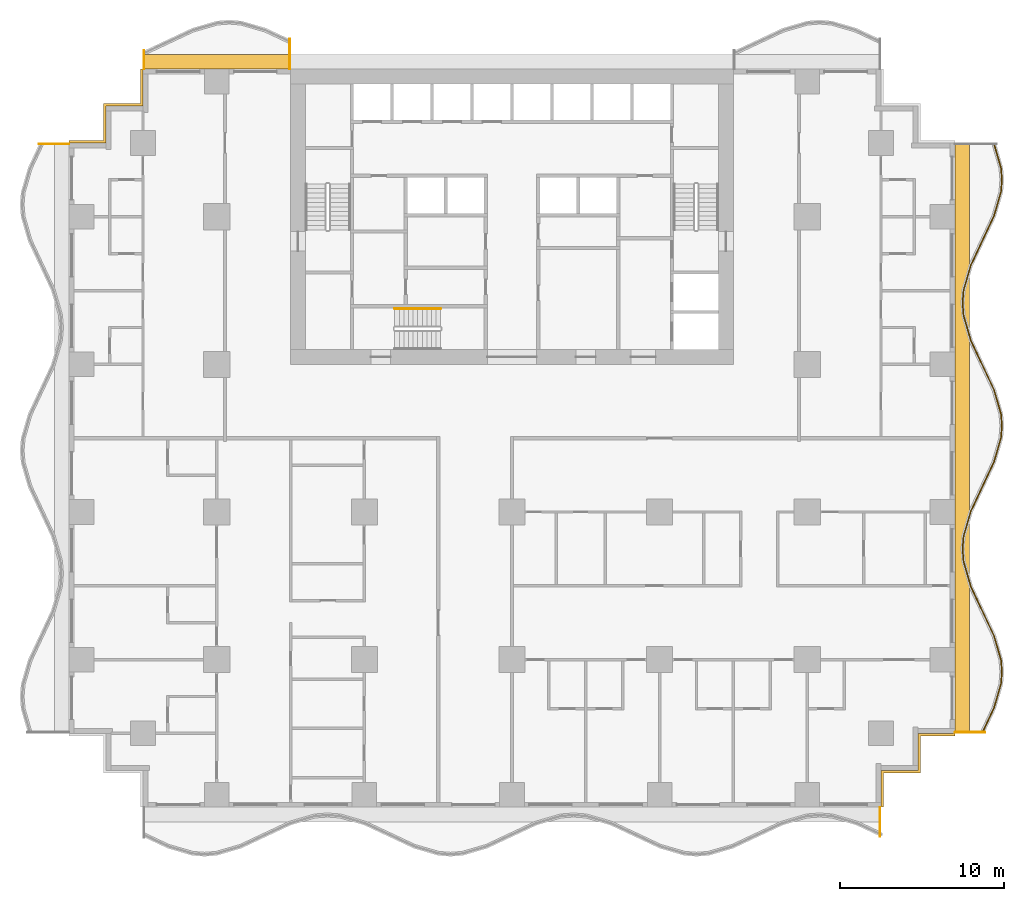
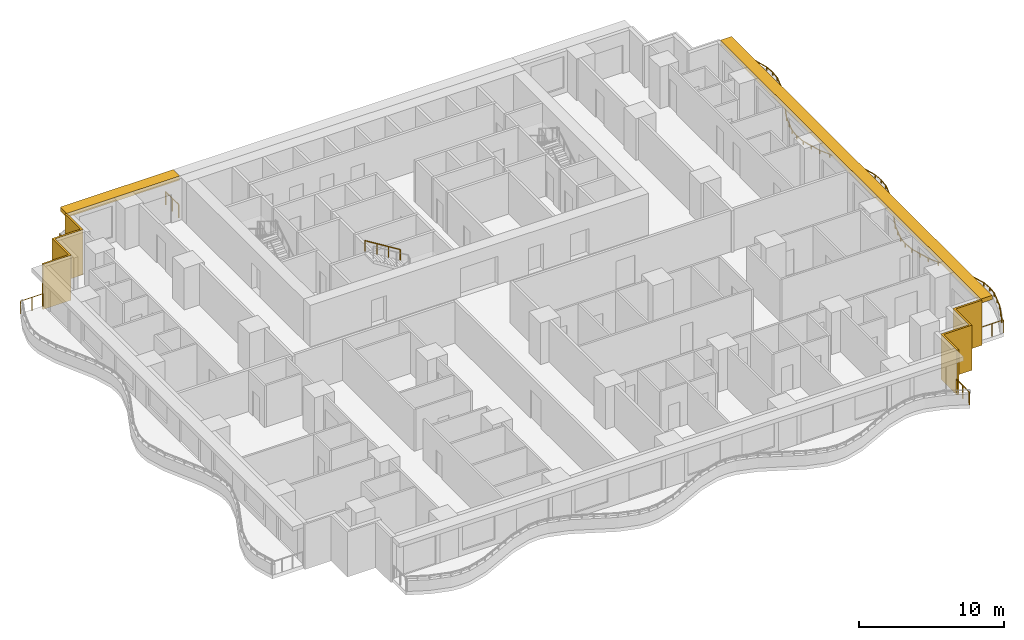
# One storey, part 11 of 14: 7 railings, 4 shading devices.
"""IFC4 building model written with IfcOpenShell, lengths in metres."""

from ifc_helpers import new_model, si_unit, direction, frame, origin, origin_2d, place, context, subcontext, project, spatial, polyline, rectangle, circle, outline, extrude, material, layer, layer_set, type_object, element, save


model = new_model("IFC4")

# Units and contexts
model_context = context("Model", 3, precision=1e-05, world=origin(), true_north=direction((0.0, 1.0)))
body_context = subcontext(model_context, "Body", "Model", "MODEL_VIEW")
ifc_project = project(units=[si_unit("LENGTHUNIT", "METRE"), si_unit("AREAUNIT", "SQUARE_METRE"), si_unit("VOLUMEUNIT", "CUBIC_METRE"), si_unit("PLANEANGLEUNIT", "RADIAN"), si_unit("MASSUNIT", "GRAM", prefix="KILO")], contexts=[model_context])

# Site, building, storey
site_placement = place(None, origin())
site = spatial("IfcSite", under=ifc_project, at=site_placement, CompositionType="ELEMENT")
building_placement = place(site_placement, origin())
building = spatial("IfcBuilding", under=site, at=building_placement, Name="Orbiselva Terraces", CompositionType="ELEMENT")
storey_placement = place(building_placement, frame((0.0, 0.0, 15.0)))
storey = spatial("IfcBuildingStorey", under=building, at=storey_placement, Name="L03", CompositionType="ELEMENT", Elevation=15.0)

# Railings
ifc_material_1 = material(Name="Stainless steel", Category="steel")
railing_type_1 = type_object("IfcRailingType", Name="CORE-HANDRAIL-900", PredefinedType="HANDRAIL", material=ifc_material_1)
railing_1_placement = place(storey_placement, frame((-4.35, 7.9, 2.072727)))
element("IfcRailing", 1, at=railing_1_placement, inside=storey, type_object=railing_type_1, Name="L03 S3 stair handrail 2", PredefinedType="HANDRAIL", context=body_context, shape_type="SweptSolid", body=[
    extrude(circle(Radius=0.024, at=origin_2d()), frame((0.0, 0.0, 0.876), z_axis=(-0.851088519012, 0.0, 0.52502222125), x_axis=(0.0, -1.0, 0.0)), (0.0, 0.0, 1.0), 3.289905),
    extrude(circle(Radius=0.021, at=origin_2d()), origin(), (0.0, 0.0, 1.0), 0.852),
    extrude(circle(Radius=0.021, at=origin_2d()), frame((-0.933333, 0.0, 0.575758)), (0.0, 0.0, 1.0), 0.852),
    extrude(circle(Radius=0.021, at=origin_2d()), frame((-1.866667, 0.0, 1.151515)), (0.0, 0.0, 1.0), 0.852),
    extrude(circle(Radius=0.021, at=origin_2d()), frame((-2.8, 0.0, 1.727273)), (0.0, 0.0, 1.0), 0.852),
])
ifc_material_2 = material(Name="Bonded two-ply safety glass balustrade, stainless steel posts", Category="steel")
railing_type_2 = type_object("IfcRailingType", Name="ENV-BALUSTRADE-1200", PredefinedType="BALUSTRADE", material=ifc_material_2)
railing_2_placement = place(storey_placement, frame((28.686882, -17.946809, 0.9)))
element("IfcRailing", 2, at=railing_2_placement, inside=storey, type_object=railing_type_2, Name="Balcony balustrade L03 E", PredefinedType="BALUSTRADE", context=body_context, shape_type="SweptSolid", body=[
    extrude(outline(polyline([(0.028868, 0.0), (0.014434, 0.025), (-0.014434, 0.025), (-0.028868, 0.0), (-0.014434, -0.025), (0.014434, -0.025), (0.028868, 0.0)])), frame((0.0, 0.0, 0.275), z_axis=(0.425529912322, 0.904944359461, 0.0), x_axis=(-0.904944359461, 0.425529912322, 0.0)), (0.0, 0.0, 1.0), 1.647746),
    extrude(outline(polyline([(0.028868, 0.0), (0.014434, 0.025), (-0.014434, 0.025), (-0.028868, 0.0), (-0.014434, -0.025), (0.014434, -0.025), (0.028868, 0.0)])), frame((0.701165, 1.491118, 0.275), z_axis=(0.279071528957, 0.960270317007, 0.0), x_axis=(-0.960270317007, 0.279071528957, 0.0)), (0.0, 0.0, 1.0), 1.539408),
    extrude(outline(polyline([(0.028868, 0.0), (0.014434, 0.025), (-0.014434, 0.025), (-0.028868, 0.0), (-0.014434, -0.025), (0.014434, -0.025), (0.028868, 0.0)])), frame((1.13077, 2.969366, 0.275), z_axis=(0.078069536776, 0.996947916106, 0.0), x_axis=(-0.996947916106, 0.078069536776, 0.0)), (0.0, 0.0, 1.0), 0.72967),
    extrude(outline(polyline([(0.028868, 0.0), (0.014434, 0.025), (-0.014434, 0.025), (-0.028868, 0.0), (-0.014434, -0.025), (0.014434, -0.025), (0.028868, 0.0)])), frame((1.187735, 3.696809, 0.275), z_axis=(-0.078069536776, 0.996947916106, 0.0), x_axis=(-0.996947916106, -0.078069536776, 0.0)), (0.0, 0.0, 1.0), 0.72967),
    extrude(outline(polyline([(0.028868, 0.0), (0.014434, 0.025), (-0.014434, 0.025), (-0.028868, 0.0), (-0.014434, -0.025), (0.014434, -0.025), (0.028868, 0.0)])), frame((1.13077, 4.424252, 0.275), z_axis=(-0.279071528957, 0.960270317007, 0.0), x_axis=(-0.960270317007, -0.279071528957, 0.0)), (0.0, 0.0, 1.0), 1.539408),
    extrude(outline(polyline([(0.028868, 0.0), (0.014434, 0.025), (-0.014434, 0.025), (-0.028868, 0.0), (-0.014434, -0.025), (0.014434, -0.025), (0.028868, 0.0)])), frame((0.701165, 5.9025, 0.275), z_axis=(-0.425529912322, 0.904944359461, 0.0), x_axis=(-0.904944359461, -0.425529912322, 0.0)), (0.0, 0.0, 1.0), 1.647746),
    extrude(outline(polyline([(0.028868, 0.0), (0.014434, 0.025), (-0.014434, 0.025), (-0.028868, 0.0), (-0.014434, -0.025), (0.014434, -0.025), (0.028868, 0.0)])), frame((0.0, 7.393618, 0.275), z_axis=(-0.425530342069, 0.904944157382, 0.0), x_axis=(-0.904944157382, -0.425530342069, 0.0)), (0.0, 0.0, 1.0), 1.667376),
    extrude(outline(polyline([(0.028868, 0.0), (0.014434, 0.025), (-0.014434, 0.025), (-0.028868, 0.0), (-0.014434, -0.025), (0.014434, -0.025), (0.028868, 0.0)])), frame((-0.709519, 8.9025, 0.275), z_axis=(-0.279070928786, 0.960270491427, 0.0), x_axis=(-0.960270491427, -0.279070928786, 0.0)), (0.0, 0.0, 1.0), 1.584712),
    extrude(outline(polyline([(0.028868, 0.0), (0.014434, 0.025), (-0.014434, 0.025), (-0.028868, 0.0), (-0.014434, -0.025), (0.014434, -0.025), (0.028868, 0.0)])), frame((-1.151766, 10.424252, 0.275), z_axis=(-0.078071061106, 0.996947796737, 0.0), x_axis=(-0.996947796737, -0.078071061106, 0.0)), (0.0, 0.0, 1.0), 0.774922),
    extrude(outline(polyline([(0.028868, 0.0), (0.014434, 0.025), (-0.014434, 0.025), (-0.028868, 0.0), (-0.014434, -0.025), (0.014434, -0.025), (0.028868, 0.0)])), frame((-1.212265, 11.196809, 0.275), z_axis=(0.078071061106, 0.996947796737, 0.0), x_axis=(-0.996947796737, 0.078071061106, 0.0)), (0.0, 0.0, 1.0), 0.774922),
    extrude(outline(polyline([(0.028868, 0.0), (0.014434, 0.025), (-0.014434, 0.025), (-0.028868, 0.0), (-0.014434, -0.025), (0.014434, -0.025), (0.028868, 0.0)])), frame((-1.151766, 11.969366, 0.275), z_axis=(0.279070928786, 0.960270491427, 0.0), x_axis=(-0.960270491427, 0.279070928786, 0.0)), (0.0, 0.0, 1.0), 1.584712),
    extrude(outline(polyline([(0.028868, 0.0), (0.014434, 0.025), (-0.014434, 0.025), (-0.028868, 0.0), (-0.014434, -0.025), (0.014434, -0.025), (0.028868, 0.0)])), frame((-0.709519, 13.491118, 0.275), z_axis=(0.425530342069, 0.904944157382, 0.0), x_axis=(-0.904944157382, 0.425530342069, 0.0)), (0.0, 0.0, 1.0), 1.667376),
    extrude(outline(polyline([(0.028868, 0.0), (0.014434, 0.025), (-0.014434, 0.025), (-0.028868, 0.0), (-0.014434, -0.025), (0.014434, -0.025), (0.028868, 0.0)])), frame((0.0, 15.0, 0.275), z_axis=(0.425529912322, 0.904944359461, 0.0), x_axis=(-0.904944359461, 0.425529912322, 0.0)), (0.0, 0.0, 1.0), 1.647746),
    extrude(outline(polyline([(0.028868, 0.0), (0.014434, 0.025), (-0.014434, 0.025), (-0.028868, 0.0), (-0.014434, -0.025), (0.014434, -0.025), (0.028868, 0.0)])), frame((0.701165, 16.491118, 0.275), z_axis=(0.279071528957, 0.960270317007, 0.0), x_axis=(-0.960270317007, 0.279071528957, 0.0)), (0.0, 0.0, 1.0), 1.539408),
    extrude(outline(polyline([(0.028868, 0.0), (0.014434, 0.025), (-0.014434, 0.025), (-0.028868, 0.0), (-0.014434, -0.025), (0.014434, -0.025), (0.028868, 0.0)])), frame((1.13077, 17.969366, 0.275), z_axis=(0.078069536776, 0.996947916106, 0.0), x_axis=(-0.996947916106, 0.078069536776, 0.0)), (0.0, 0.0, 1.0), 0.72967),
    extrude(outline(polyline([(0.028868, 0.0), (0.014434, 0.025), (-0.014434, 0.025), (-0.028868, 0.0), (-0.014434, -0.025), (0.014434, -0.025), (0.028868, 0.0)])), frame((1.187735, 18.696809, 0.275), z_axis=(-0.078069536776, 0.996947916106, 0.0), x_axis=(-0.996947916106, -0.078069536776, 0.0)), (0.0, 0.0, 1.0), 0.72967),
    extrude(outline(polyline([(0.028868, 0.0), (0.014434, 0.025), (-0.014434, 0.025), (-0.028868, 0.0), (-0.014434, -0.025), (0.014434, -0.025), (0.028868, 0.0)])), frame((1.13077, 19.424252, 0.275), z_axis=(-0.279071528957, 0.960270317007, 0.0), x_axis=(-0.960270317007, -0.279071528957, 0.0)), (0.0, 0.0, 1.0), 1.539408),
    extrude(outline(polyline([(0.028868, 0.0), (0.014434, 0.025), (-0.014434, 0.025), (-0.028868, 0.0), (-0.014434, -0.025), (0.014434, -0.025), (0.028868, 0.0)])), frame((0.701165, 20.9025, 0.275), z_axis=(-0.425529912322, 0.904944359461, 0.0), x_axis=(-0.904944359461, -0.425529912322, 0.0)), (0.0, 0.0, 1.0), 1.647746),
    extrude(outline(polyline([(0.028868, 0.0), (0.014434, 0.025), (-0.014434, 0.025), (-0.028868, 0.0), (-0.014434, -0.025), (0.014434, -0.025), (0.028868, 0.0)])), frame((0.0, 22.393618, 0.275), z_axis=(-0.425530342069, 0.904944157382, 0.0), x_axis=(-0.904944157382, -0.425530342069, 0.0)), (0.0, 0.0, 1.0), 1.667376),
    extrude(outline(polyline([(0.028868, 0.0), (0.014434, 0.025), (-0.014434, 0.025), (-0.028868, 0.0), (-0.014434, -0.025), (0.014434, -0.025), (0.028868, 0.0)])), frame((-0.709519, 23.9025, 0.275), z_axis=(-0.279070928786, 0.960270491427, 0.0), x_axis=(-0.960270491427, -0.279070928786, 0.0)), (0.0, 0.0, 1.0), 1.584712),
    extrude(outline(polyline([(0.028868, 0.0), (0.014434, 0.025), (-0.014434, 0.025), (-0.028868, 0.0), (-0.014434, -0.025), (0.014434, -0.025), (0.028868, 0.0)])), frame((-1.151766, 25.424252, 0.275), z_axis=(-0.078071061106, 0.996947796737, 0.0), x_axis=(-0.996947796737, -0.078071061106, 0.0)), (0.0, 0.0, 1.0), 0.774922),
    extrude(outline(polyline([(0.028868, 0.0), (0.014434, 0.025), (-0.014434, 0.025), (-0.028868, 0.0), (-0.014434, -0.025), (0.014434, -0.025), (0.028868, 0.0)])), frame((-1.212265, 26.196809, 0.275), z_axis=(0.078071061106, 0.996947796737, 0.0), x_axis=(-0.996947796737, 0.078071061106, 0.0)), (0.0, 0.0, 1.0), 0.774922),
    extrude(outline(polyline([(0.028868, 0.0), (0.014434, 0.025), (-0.014434, 0.025), (-0.028868, 0.0), (-0.014434, -0.025), (0.014434, -0.025), (0.028868, 0.0)])), frame((-1.151766, 26.969366, 0.275), z_axis=(0.279070928786, 0.960270491427, 0.0), x_axis=(-0.960270491427, 0.279070928786, 0.0)), (0.0, 0.0, 1.0), 1.584712),
    extrude(outline(polyline([(0.028868, 0.0), (0.014434, 0.025), (-0.014434, 0.025), (-0.028868, 0.0), (-0.014434, -0.025), (0.014434, -0.025), (0.028868, 0.0)])), frame((-0.709519, 28.491118, 0.275), z_axis=(0.425530342069, 0.904944157382, 0.0), x_axis=(-0.904944157382, 0.425530342069, 0.0)), (0.0, 0.0, 1.0), 1.667376),
    extrude(outline(polyline([(0.028868, 0.0), (0.014434, 0.025), (-0.014434, 0.025), (-0.028868, 0.0), (-0.014434, -0.025), (0.014434, -0.025), (0.028868, 0.0)])), frame((0.0, 30.0, 0.275), z_axis=(0.425529912322, 0.904944359461, 0.0), x_axis=(-0.904944359461, 0.425529912322, 0.0)), (0.0, 0.0, 1.0), 1.647746),
    extrude(outline(polyline([(0.028868, 0.0), (0.014434, 0.025), (-0.014434, 0.025), (-0.028868, 0.0), (-0.014434, -0.025), (0.014434, -0.025), (0.028868, 0.0)])), frame((0.701165, 31.491118, 0.275), z_axis=(0.279071528957, 0.960270317007, 0.0), x_axis=(-0.960270317007, 0.279071528957, 0.0)), (0.0, 0.0, 1.0), 1.539408),
    extrude(outline(polyline([(0.028868, 0.0), (0.014434, 0.025), (-0.014434, 0.025), (-0.028868, 0.0), (-0.014434, -0.025), (0.014434, -0.025), (0.028868, 0.0)])), frame((1.13077, 32.969366, 0.275), z_axis=(0.078069536776, 0.996947916106, 0.0), x_axis=(-0.996947916106, 0.078069536776, 0.0)), (0.0, 0.0, 1.0), 0.72967),
    extrude(outline(polyline([(0.028868, 0.0), (0.014434, 0.025), (-0.014434, 0.025), (-0.028868, 0.0), (-0.014434, -0.025), (0.014434, -0.025), (0.028868, 0.0)])), frame((1.187735, 33.696809, 0.275), z_axis=(-0.078069536776, 0.996947916106, 0.0), x_axis=(-0.996947916106, -0.078069536776, 0.0)), (0.0, 0.0, 1.0), 0.72967),
    extrude(outline(polyline([(0.028868, 0.0), (0.014434, 0.025), (-0.014434, 0.025), (-0.028868, 0.0), (-0.014434, -0.025), (0.014434, -0.025), (0.028868, 0.0)])), frame((1.13077, 34.424252, 0.275), z_axis=(-0.279071486336, 0.960270329394, 0.0), x_axis=(-0.960270329394, -0.279071486336, 0.0)), (0.0, 0.0, 1.0), 1.549223),
    extrude(rectangle(XDim=0.05, YDim=0.05, at=origin_2d()), origin(), (0.0, 0.0, 1.0), 0.25),
    extrude(rectangle(XDim=0.05, YDim=0.05, at=origin_2d()), frame((0.350582, 0.745559, 0.0)), (0.0, 0.0, 1.0), 0.25),
    extrude(rectangle(XDim=0.05, YDim=0.05, at=origin_2d()), frame((0.701165, 1.491118, 0.0)), (0.0, 0.0, 1.0), 0.25),
    extrude(rectangle(XDim=0.05, YDim=0.05, at=origin_2d()), frame((0.915967, 2.230242, 0.0)), (0.0, 0.0, 1.0), 0.25),
    extrude(rectangle(XDim=0.05, YDim=0.05, at=origin_2d()), frame((1.13077, 2.969366, 0.0)), (0.0, 0.0, 1.0), 0.25),
    extrude(rectangle(XDim=0.05, YDim=0.05, at=origin_2d()), frame((1.187735, 3.696809, 0.0)), (0.0, 0.0, 1.0), 0.25),
    extrude(rectangle(XDim=0.05, YDim=0.05, at=origin_2d()), frame((1.13077, 4.424252, 0.0)), (0.0, 0.0, 1.0), 0.25),
    extrude(rectangle(XDim=0.05, YDim=0.05, at=origin_2d()), frame((0.915967, 5.163376, 0.0)), (0.0, 0.0, 1.0), 0.25),
    extrude(rectangle(XDim=0.05, YDim=0.05, at=origin_2d()), frame((0.701165, 5.9025, 0.0)), (0.0, 0.0, 1.0), 0.25),
    extrude(rectangle(XDim=0.05, YDim=0.05, at=origin_2d()), frame((0.350582, 6.648059, 0.0)), (0.0, 0.0, 1.0), 0.25),
    extrude(rectangle(XDim=0.05, YDim=0.05, at=origin_2d()), frame((0.0, 7.393618, 0.0)), (0.0, 0.0, 1.0), 0.25),
    extrude(rectangle(XDim=0.05, YDim=0.05, at=origin_2d()), frame((-0.35476, 8.148059, 0.0)), (0.0, 0.0, 1.0), 0.25),
    extrude(rectangle(XDim=0.05, YDim=0.05, at=origin_2d()), frame((-0.709519, 8.9025, 0.0)), (0.0, 0.0, 1.0), 0.25),
    extrude(rectangle(XDim=0.05, YDim=0.05, at=origin_2d()), frame((-0.930643, 9.663376, 0.0)), (0.0, 0.0, 1.0), 0.25),
    extrude(rectangle(XDim=0.05, YDim=0.05, at=origin_2d()), frame((-1.151766, 10.424252, 0.0)), (0.0, 0.0, 1.0), 0.25),
    extrude(rectangle(XDim=0.05, YDim=0.05, at=origin_2d()), frame((-1.212265, 11.196809, 0.0)), (0.0, 0.0, 1.0), 0.25),
    extrude(rectangle(XDim=0.05, YDim=0.05, at=origin_2d()), frame((-1.151766, 11.969366, 0.0)), (0.0, 0.0, 1.0), 0.25),
    extrude(rectangle(XDim=0.05, YDim=0.05, at=origin_2d()), frame((-0.930643, 12.730242, 0.0)), (0.0, 0.0, 1.0), 0.25),
    extrude(rectangle(XDim=0.05, YDim=0.05, at=origin_2d()), frame((-0.709519, 13.491118, 0.0)), (0.0, 0.0, 1.0), 0.25),
    extrude(rectangle(XDim=0.05, YDim=0.05, at=origin_2d()), frame((-0.35476, 14.245559, 0.0)), (0.0, 0.0, 1.0), 0.25),
    extrude(rectangle(XDim=0.05, YDim=0.05, at=origin_2d()), frame((0.0, 15.0, 0.0)), (0.0, 0.0, 1.0), 0.25),
    extrude(rectangle(XDim=0.05, YDim=0.05, at=origin_2d()), frame((0.350582, 15.745559, 0.0)), (0.0, 0.0, 1.0), 0.25),
    extrude(rectangle(XDim=0.05, YDim=0.05, at=origin_2d()), frame((0.701165, 16.491118, 0.0)), (0.0, 0.0, 1.0), 0.25),
    extrude(rectangle(XDim=0.05, YDim=0.05, at=origin_2d()), frame((0.915967, 17.230242, 0.0)), (0.0, 0.0, 1.0), 0.25),
    extrude(rectangle(XDim=0.05, YDim=0.05, at=origin_2d()), frame((1.13077, 17.969366, 0.0)), (0.0, 0.0, 1.0), 0.25),
    extrude(rectangle(XDim=0.05, YDim=0.05, at=origin_2d()), frame((1.187735, 18.696809, 0.0)), (0.0, 0.0, 1.0), 0.25),
    extrude(rectangle(XDim=0.05, YDim=0.05, at=origin_2d()), frame((1.13077, 19.424252, 0.0)), (0.0, 0.0, 1.0), 0.25),
    extrude(rectangle(XDim=0.05, YDim=0.05, at=origin_2d()), frame((0.915967, 20.163376, 0.0)), (0.0, 0.0, 1.0), 0.25),
    extrude(rectangle(XDim=0.05, YDim=0.05, at=origin_2d()), frame((0.701165, 20.9025, 0.0)), (0.0, 0.0, 1.0), 0.25),
    extrude(rectangle(XDim=0.05, YDim=0.05, at=origin_2d()), frame((0.350582, 21.648059, 0.0)), (0.0, 0.0, 1.0), 0.25),
    extrude(rectangle(XDim=0.05, YDim=0.05, at=origin_2d()), frame((0.0, 22.393618, 0.0)), (0.0, 0.0, 1.0), 0.25),
    extrude(rectangle(XDim=0.05, YDim=0.05, at=origin_2d()), frame((-0.35476, 23.148059, 0.0)), (0.0, 0.0, 1.0), 0.25),
    extrude(rectangle(XDim=0.05, YDim=0.05, at=origin_2d()), frame((-0.709519, 23.9025, 0.0)), (0.0, 0.0, 1.0), 0.25),
    extrude(rectangle(XDim=0.05, YDim=0.05, at=origin_2d()), frame((-0.930643, 24.663376, 0.0)), (0.0, 0.0, 1.0), 0.25),
    extrude(rectangle(XDim=0.05, YDim=0.05, at=origin_2d()), frame((-1.151766, 25.424252, 0.0)), (0.0, 0.0, 1.0), 0.25),
    extrude(rectangle(XDim=0.05, YDim=0.05, at=origin_2d()), frame((-1.212265, 26.196809, 0.0)), (0.0, 0.0, 1.0), 0.25),
    extrude(rectangle(XDim=0.05, YDim=0.05, at=origin_2d()), frame((-1.151766, 26.969366, 0.0)), (0.0, 0.0, 1.0), 0.25),
    extrude(rectangle(XDim=0.05, YDim=0.05, at=origin_2d()), frame((-0.930643, 27.730242, 0.0)), (0.0, 0.0, 1.0), 0.25),
    extrude(rectangle(XDim=0.05, YDim=0.05, at=origin_2d()), frame((-0.709519, 28.491118, 0.0)), (0.0, 0.0, 1.0), 0.25),
    extrude(rectangle(XDim=0.05, YDim=0.05, at=origin_2d()), frame((-0.35476, 29.245559, 0.0)), (0.0, 0.0, 1.0), 0.25),
    extrude(rectangle(XDim=0.05, YDim=0.05, at=origin_2d()), frame((0.0, 30.0, 0.0)), (0.0, 0.0, 1.0), 0.25),
    extrude(rectangle(XDim=0.05, YDim=0.05, at=origin_2d()), frame((0.350582, 30.745559, 0.0)), (0.0, 0.0, 1.0), 0.25),
    extrude(rectangle(XDim=0.05, YDim=0.05, at=origin_2d()), frame((0.701165, 31.491118, 0.0)), (0.0, 0.0, 1.0), 0.25),
    extrude(rectangle(XDim=0.05, YDim=0.05, at=origin_2d()), frame((0.915967, 32.230242, 0.0)), (0.0, 0.0, 1.0), 0.25),
    extrude(rectangle(XDim=0.05, YDim=0.05, at=origin_2d()), frame((1.13077, 32.969366, 0.0)), (0.0, 0.0, 1.0), 0.25),
    extrude(rectangle(XDim=0.05, YDim=0.05, at=origin_2d()), frame((1.187735, 33.696809, 0.0)), (0.0, 0.0, 1.0), 0.25),
    extrude(rectangle(XDim=0.05, YDim=0.05, at=origin_2d()), frame((1.13077, 34.424252, 0.0)), (0.0, 0.0, 1.0), 0.25),
    extrude(rectangle(XDim=0.05, YDim=0.05, at=origin_2d()), frame((0.914598, 35.168088, 0.0)), (0.0, 0.0, 1.0), 0.25),
    extrude(rectangle(XDim=0.05, YDim=0.05, at=origin_2d()), frame((0.698426, 35.911925, 0.0)), (0.0, 0.0, 1.0), 0.25),
])
ifc_material_3 = material(Name="Stainless steel rail and posts", Category="steel")
railing_type_3 = type_object("IfcRailingType", Name="ENV-GUARD-1105", PredefinedType="BALUSTRADE", material=ifc_material_3)
railing_3_placement = place(storey_placement, frame((22.44, -24.269844, 0.0)))
element("IfcRailing", 3, at=railing_3_placement, inside=storey, type_object=railing_type_3, Name="Balcony end guard L03 S", PredefinedType="BALUSTRADE", context=body_context, shape_type="SweptSolid", body=[
    extrude(outline(polyline([(0.028868, 0.0), (0.014434, 0.025), (-0.014434, 0.025), (-0.028868, 0.0), (-0.014434, -0.025), (0.014434, -0.025), (0.028868, 0.0)])), frame((0.0, 0.0, 1.08), z_axis=(0.0, 1.0, 0.0), x_axis=(-1.0, 0.0, 0.0)), (0.0, 0.0, 1.0), 1.744844),
    extrude(rectangle(XDim=0.05, YDim=0.05, at=origin_2d()), origin(), (0.0, 0.0, 1.0), 1.055),
    extrude(rectangle(XDim=0.05, YDim=0.05, at=origin_2d()), frame((0.0, 0.872422, 0.0)), (0.0, 0.0, 1.0), 1.055),
    extrude(rectangle(XDim=0.05, YDim=0.05, at=origin_2d()), frame((0.0, 1.744844, 0.0)), (0.0, 0.0, 1.0), 1.055),
])
railing_4_placement = place(storey_placement, frame((28.830156, -17.94, 0.0)))
element("IfcRailing", 4, at=railing_4_placement, inside=storey, type_object=railing_type_3, Name="Balcony end guard L03 E", PredefinedType="BALUSTRADE", context=body_context, shape_type="SweptSolid", body=[
    extrude(outline(polyline([(0.028868, 0.0), (0.014434, 0.025), (-0.014434, 0.025), (-0.028868, 0.0), (-0.014434, -0.025), (0.014434, -0.025), (0.028868, 0.0)])), frame((0.0, 0.0, 1.08), z_axis=(-1.0, 0.0, 0.0), x_axis=(0.0, -1.0, 0.0)), (0.0, 0.0, 1.0), 1.805156),
    extrude(rectangle(XDim=0.05, YDim=0.05, at=origin_2d()), origin(), (0.0, 0.0, 1.0), 1.055),
    extrude(rectangle(XDim=0.05, YDim=0.05, at=origin_2d()), frame((-0.902578, 0.0, 0.0)), (0.0, 0.0, 1.0), 1.055),
    extrude(rectangle(XDim=0.05, YDim=0.05, at=origin_2d()), frame((-1.805156, 0.0, 0.0)), (0.0, 0.0, 1.0), 1.055),
])
railing_5_placement = place(storey_placement, frame((-13.56, 24.330156, 0.0)))
element("IfcRailing", 5, at=railing_5_placement, inside=storey, type_object=railing_type_3, Name="Balcony end guard L03 NW", PredefinedType="BALUSTRADE", context=body_context, shape_type="SweptSolid", body=[
    extrude(outline(polyline([(0.028868, 0.0), (0.014434, 0.025), (-0.014434, 0.025), (-0.028868, 0.0), (-0.014434, -0.025), (0.014434, -0.025), (0.028868, 0.0)])), frame((0.0, 0.0, 1.08), z_axis=(0.0, -1.0, 0.0), x_axis=(1.0, 0.0, 0.0)), (0.0, 0.0, 1.0), 1.805156),
    extrude(rectangle(XDim=0.05, YDim=0.05, at=origin_2d()), origin(), (0.0, 0.0, 1.0), 1.055),
    extrude(rectangle(XDim=0.05, YDim=0.05, at=origin_2d()), frame((0.0, -0.902578, 0.0)), (0.0, 0.0, 1.0), 1.055),
    extrude(rectangle(XDim=0.05, YDim=0.05, at=origin_2d()), frame((0.0, -1.805156, 0.0)), (0.0, 0.0, 1.0), 1.055),
])
railing_6_placement = place(storey_placement, frame((-22.44, 23.619277, 0.0)))
element("IfcRailing", 6, at=railing_6_placement, inside=storey, type_object=railing_type_3, Name="Balcony end guard L03 NW", PredefinedType="BALUSTRADE", context=body_context, shape_type="SweptSolid", body=[
    extrude(outline(polyline([(0.028868, 0.0), (0.014434, 0.025), (-0.014434, 0.025), (-0.028868, 0.0), (-0.014434, -0.025), (0.014434, -0.025), (0.028868, 0.0)])), frame((0.0, 0.0, 1.08), z_axis=(0.0, -1.0, 0.0), x_axis=(1.0, 0.0, 0.0)), (0.0, 0.0, 1.0), 1.094277),
    extrude(rectangle(XDim=0.05, YDim=0.05, at=origin_2d()), origin(), (0.0, 0.0, 1.0), 1.055),
    extrude(rectangle(XDim=0.05, YDim=0.05, at=origin_2d()), frame((0.0, -1.094277, 0.0)), (0.0, 0.0, 1.0), 1.055),
])
railing_7_placement = place(storey_placement, frame((-28.830156, 17.94, 0.0)))
element("IfcRailing", 7, at=railing_7_placement, inside=storey, type_object=railing_type_3, Name="Balcony end guard L03 W", PredefinedType="BALUSTRADE", context=body_context, shape_type="SweptSolid", body=[
    extrude(outline(polyline([(0.028868, 0.0), (0.014434, 0.025), (-0.014434, 0.025), (-0.028868, 0.0), (-0.014434, -0.025), (0.014434, -0.025), (0.028868, 0.0)])), frame((0.0, 0.0, 1.08), z_axis=(1.0, 0.0, 0.0), x_axis=(0.0, 1.0, 0.0)), (0.0, 0.0, 1.0), 1.805156),
    extrude(rectangle(XDim=0.05, YDim=0.05, at=origin_2d()), origin(), (0.0, 0.0, 1.0), 1.055),
    extrude(rectangle(XDim=0.05, YDim=0.05, at=origin_2d()), frame((0.902578, 0.0, 0.0)), (0.0, 0.0, 1.0), 1.055),
    extrude(rectangle(XDim=0.05, YDim=0.05, at=origin_2d()), frame((1.805156, 0.0, 0.0)), (0.0, 0.0, 1.0), 1.055),
])

# Shading devices
ifc_material_4 = material(Name="Terracotta louvre screen", Category="masonry")
ifc_layer_1 = layer(ifc_material_4, 0.15)
ifc_layer_set_1 = layer_set([ifc_layer_1], Name="Terracotta louvre screen")
shading_device_type_1 = type_object("IfcShadingDeviceType", Name="ENV-SCREEN-150", PredefinedType="USERDEFINED", material=ifc_layer_set_1)
shading_device_1_placement = place(storey_placement, frame((0.0, 0.0, -0.3)))
element("IfcShadingDevice", 8, at=shading_device_1_placement, inside=storey, type_object=shading_device_type_1, Name="Louvre screen L03 NW", ObjectType="SCREEN", PredefinedType="USERDEFINED", context=body_context, shape_type="SweptSolid", body=[
    extrude(outline(polyline([(-22.65, 22.5), (-22.65, 20.4), (-24.9, 20.4), (-24.9, 18.15), (-27.0, 18.15), (-27.0, 18.0), (-24.75, 18.0), (-24.75, 20.25), (-22.5, 20.25), (-22.5, 22.5), (-22.65, 22.5)])), origin(), (0.0, 0.0, 1.0), 3.8),
])
shading_device_2_placement = place(storey_placement, frame((0.0, 0.0, -0.3)))
element("IfcShadingDevice", 9, at=shading_device_2_placement, inside=storey, type_object=shading_device_type_1, Name="Louvre screen L03 SE", ObjectType="SCREEN", PredefinedType="USERDEFINED", context=body_context, shape_type="SweptSolid", body=[
    extrude(outline(polyline([(22.65, -22.5), (22.65, -20.4), (24.9, -20.4), (24.9, -18.15), (27.0, -18.15), (27.0, -18.0), (24.75, -18.0), (24.75, -20.25), (22.5, -20.25), (22.5, -22.5), (22.65, -22.5)])), origin(), (0.0, 0.0, 1.0), 3.8),
])
ifc_material_5 = material(Name="Terracotta baguette sunshade", Category="masonry")
ifc_layer_2 = layer(ifc_material_5, 0.35)
ifc_layer_set_2 = layer_set([ifc_layer_2], Name="Terracotta baguette sunshade")
shading_device_type_2 = type_object("IfcShadingDeviceType", Name="ENV-SUNSHADE-900x350", PredefinedType="USERDEFINED", material=ifc_layer_set_2)
shading_device_3_placement = place(storey_placement, frame((0.0, 0.0, 3.15)))
element("IfcShadingDevice", 10, at=shading_device_3_placement, inside=storey, type_object=shading_device_type_2, Name="Sunshade band L03 E", ObjectType="SUNSHADE", PredefinedType="USERDEFINED", context=body_context, shape_type="SweptSolid", body=[
    extrude(outline(polyline([(27.9, -18.0), (27.9, 18.0), (27.0, 18.0), (27.0, -18.0), (27.9, -18.0)])), origin(), (0.0, 0.0, 1.0), 0.35),
])
shading_device_4_placement = place(storey_placement, frame((0.0, 0.0, 3.15)))
element("IfcShadingDevice", 11, at=shading_device_4_placement, inside=storey, type_object=shading_device_type_2, Name="Sunshade band L03 NW", ObjectType="SUNSHADE", PredefinedType="USERDEFINED", context=body_context, shape_type="SweptSolid", body=[
    extrude(outline(polyline([(-13.5, 23.4), (-22.5, 23.4), (-22.5, 22.5), (-13.5, 22.5), (-13.5, 23.4)])), origin(), (0.0, 0.0, 1.0), 0.35),
])

save(model, "model.ifc")
